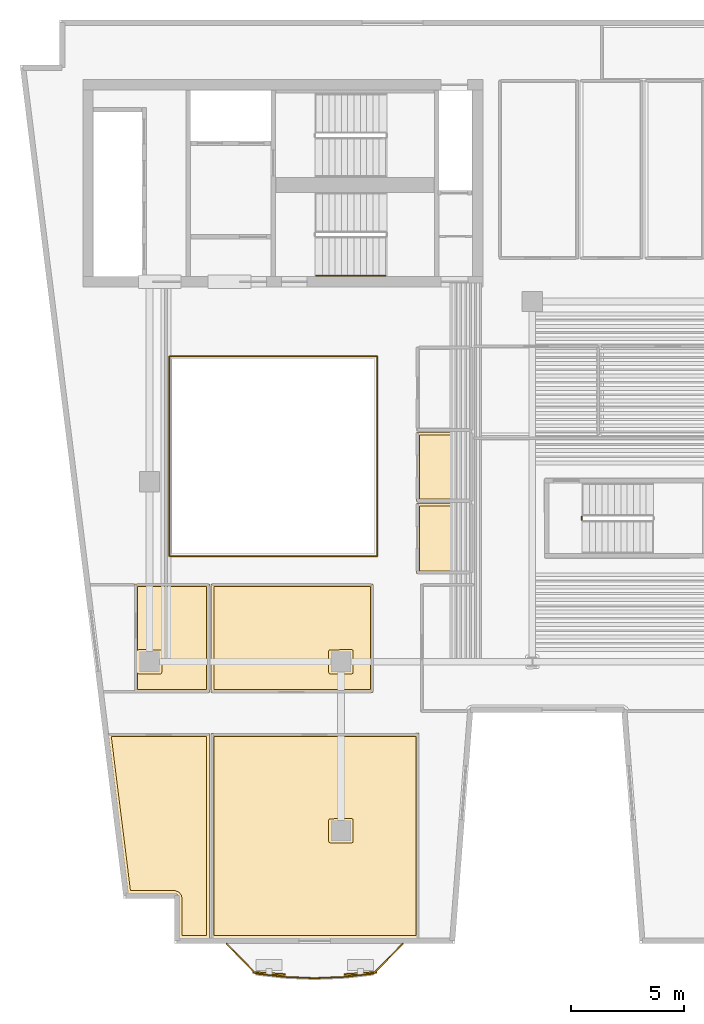
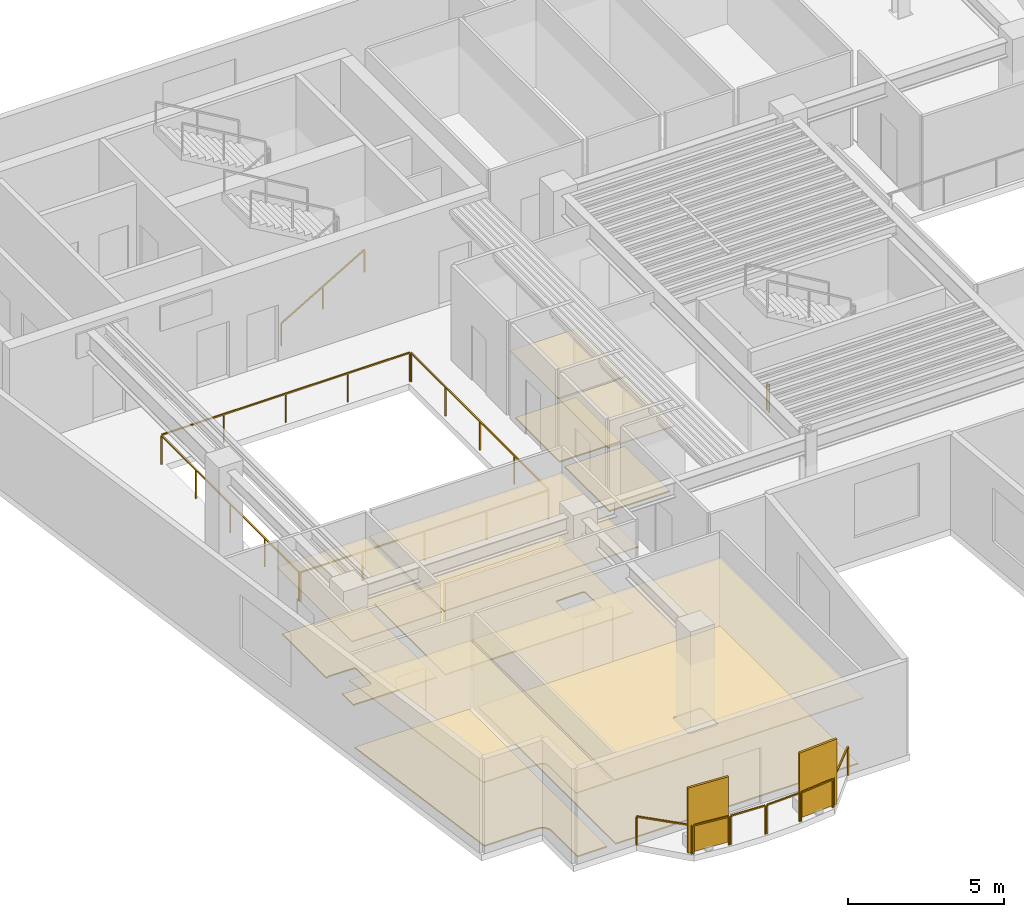
# One storey, part 7 of 9: 12 coverings, 12 railings, 2 shading devices.
"""IFC4 building model written with IfcOpenShell, lengths in metres."""

import ifcopenshell
import ifcopenshell.guid

model = None  # the IFC model being written
_history = None  # IfcOwnerHistory: only IFC2X3 demands one
_inside = {}  # id of a spatial element -> (the spatial element, [elements in it])
_under = {}  # id of a project, library or spatial element -> (it, [spatial elements below it])
_declared = {}  # id of a project -> (the project, [libraries it declares])
_typed = {}  # id of a type object -> (the type object, [elements of that type])
_made_of = {}  # id of a material, layer set ... -> (it, [elements and type objects made of it])


def new_model(schema):
    """Start an empty IFC model of exactly this schema.

    Asked for "IFC4X3", IfcOpenShell would pick the latest addendum, in which some entities
    have other attributes; the version numbers below select the first issue.
    IFC2X3 requires an IfcOwnerHistory on every rooted entity: one is made here for all.
    """
    global model, _history
    if schema == "IFC4X3":
        model = ifcopenshell.file(schema_version=(4, 3, 0, 0))
    else:
        model = ifcopenshell.file(schema=schema)
    _inside.clear()
    _under.clear()
    _declared.clear()
    _typed.clear()
    _made_of.clear()
    _history = None
    if model.schema == "IFC2X3":
        org = make("IfcOrganization", Name="unknown")
        user = make(
            "IfcPersonAndOrganization",
            ThePerson=make("IfcPerson", FamilyName="unknown"),
            TheOrganization=org,
        )
        app = make(
            "IfcApplication",
            ApplicationDeveloper=org,
            Version="unknown",
            ApplicationFullName="unknown",
            ApplicationIdentifier="unknown",
        )
        _history = make(
            "IfcOwnerHistory",
            OwningUser=user,
            OwningApplication=app,
            ChangeAction="ADDED",
            CreationDate=0,
        )
    return model


def make(cls, **values):
    """One entity of the class cls with the attributes given. An attribute that is None is left unset."""
    return model.create_entity(
        cls, **{name: value for name, value in values.items() if value is not None}
    )


def rooted(cls, **values):
    """An entity with a GlobalId (a new one), such as an element, a storey or a relation."""
    return make(cls, GlobalId=ifcopenshell.guid.new(), OwnerHistory=_history, **values)


def si_unit(unit_type, name, prefix=None):
    """IfcSIUnit, for example si_unit("LENGTHUNIT", "METRE", prefix="MILLI")."""
    return make("IfcSIUnit", UnitType=unit_type, Prefix=prefix, Name=name)


def assignment(units):
    """IfcUnitAssignment: the units of a project."""
    return None if units is None else make("IfcUnitAssignment", Units=units)


def point(xyz):
    """IfcCartesianPoint."""
    return None if xyz is None else make("IfcCartesianPoint", Coordinates=xyz)


def direction(xyz):
    """IfcDirection."""
    return None if xyz is None else make("IfcDirection", DirectionRatios=xyz)


def frame(location, z_axis=None, x_axis=None):
    """IfcAxis2Placement3D, a coordinate frame: its origin and axes. An axis left out is left unset."""
    return make(
        "IfcAxis2Placement3D",
        Location=point(location),
        Axis=direction(z_axis),
        RefDirection=direction(x_axis),
    )


def frame_2d(location, x_axis=None):
    """IfcAxis2Placement2D, a coordinate frame in the plane: its origin and x axis."""
    return make(
        "IfcAxis2Placement2D", Location=point(location), RefDirection=direction(x_axis)
    )


def origin():
    """The frame at (0, 0, 0) with its axes left unset."""
    return frame((0.0, 0.0, 0.0))


def origin_2d():
    """The frame at (0, 0) in the plane with its x axis left unset."""
    return frame_2d((0.0, 0.0))


def place(relative_to, where):
    """IfcLocalPlacement: puts the frame where relative to a parent placement (None: the world)."""
    return make(
        "IfcLocalPlacement", PlacementRelTo=relative_to, RelativePlacement=where
    )


def context(
    kind, dimensions, precision=None, world=None, true_north=None, identifier=None
):
    """IfcGeometricRepresentationContext, for example the 3D "Model" context."""
    return make(
        "IfcGeometricRepresentationContext",
        ContextIdentifier=identifier,
        ContextType=kind,
        CoordinateSpaceDimension=dimensions,
        Precision=precision,
        WorldCoordinateSystem=world,
        TrueNorth=true_north,
    )


def subcontext(parent, identifier, kind, view, scale=None):
    """IfcGeometricRepresentationSubContext, for example "Body" below "Model"."""
    return make(
        "IfcGeometricRepresentationSubContext",
        ContextIdentifier=identifier,
        ContextType=kind,
        ParentContext=parent,
        TargetScale=scale,
        TargetView=view,
    )


def project(units=None, contexts=None):
    """IfcProject with its units and contexts."""
    return rooted(
        "IfcProject",
        Name="project",
        RepresentationContexts=contexts,
        UnitsInContext=assignment(units),
    )


def spatial(cls, under=None, at=None, **own):
    """A site, building, storey or space (cls), placed at a placement, below another one or the project."""
    s = rooted(cls, ObjectPlacement=at, **own)
    if under is not None:
        _under.setdefault(under.id(), (under, []))[1].append(s)
    return s


def polyline(points):
    """IfcPolyline through the points."""
    return make("IfcPolyline", Points=[point(p) for p in points])


def profile(cls, at=None, kind="AREA", **sizes):
    """A parametric profile (cls). Its sizes go by their IFC names, for example OverallWidth=200.0."""
    return make(cls, ProfileType=kind, Position=at, **sizes)


def rectangle(**sizes):
    """IfcRectangleProfileDef."""
    return profile("IfcRectangleProfileDef", **sizes)


def outline(outer, holes=None, kind="AREA"):
    """IfcArbitraryClosedProfileDef: a profile drawn as a closed curve; with holes, ...WithVoids."""
    if holes is None:
        return make("IfcArbitraryClosedProfileDef", ProfileType=kind, OuterCurve=outer)
    return make(
        "IfcArbitraryProfileDefWithVoids",
        ProfileType=kind,
        OuterCurve=outer,
        InnerCurves=holes,
    )


def extrude(swept, where, along, depth):
    """IfcExtrudedAreaSolid: the profile swept, set in the frame where, extruded along a direction by depth."""
    return make(
        "IfcExtrudedAreaSolid",
        SweptArea=swept,
        Position=where,
        ExtrudedDirection=direction(along),
        Depth=depth,
    )


def shape(context_of_items, identifier, shape_type, items):
    """IfcShapeRepresentation: the items that make up one representation, for example the "Body"."""
    return make(
        "IfcShapeRepresentation",
        ContextOfItems=context_of_items,
        RepresentationIdentifier=identifier,
        RepresentationType=shape_type,
        Items=items,
    )


def material(Name=None, Category=None):
    """IfcMaterial."""
    return make("IfcMaterial", Name=Name, Category=Category)


def layer(
    of_material, thickness, ventilated=None, Name=None, Category=None, Priority=None
):
    """IfcMaterialLayer: one layer of a wall or slab, of a material (None: an air gap)."""
    return make(
        "IfcMaterialLayer",
        Material=of_material,
        LayerThickness=thickness,
        IsVentilated=ventilated,
        Name=Name,
        Category=Category,
        Priority=Priority,
    )


def layer_set(layers, Name=None):
    """IfcMaterialLayerSet."""
    return make("IfcMaterialLayerSet", MaterialLayers=layers, LayerSetName=Name)


def made_of(thing, what):
    """Note that an element or type object is made of a material, layer set ...; save() writes the relation."""
    if what is not None:
        _made_of.setdefault(what.id(), (what, []))[1].append(thing)
    return thing


def type_object(cls, material=None, **own):
    """A type object (cls), such as IfcWallType, which elements share."""
    return made_of(rooted(cls, **own), material)


def element(
    cls,
    number,
    at=None,
    inside=None,
    cuts=None,
    type_object=None,
    material=None,
    context=None,
    identifier="Body",
    shape_type=None,
    held_by="IfcProductDefinitionShape",
    body=None,
    shapes=None,
    **own,
):
    """One element of the class cls, such as IfcWall. Its Tag is "e" and its number.

    at: its placement. inside: the storey or other place that contains it. cuts: it is an
    opening in that element (IfcRelVoidsElement). A single representation is given by context,
    identifier, shape_type and body (its items); several are given by shapes. held_by: the class
    of the entity that holds the representations. save() writes the other relations.
    """
    e = rooted(cls, Tag="e%d" % number, ObjectPlacement=at, **own)
    if body is not None:
        shapes = [shape(context, identifier, shape_type, body)]
    if shapes is not None:
        e.Representation = make(held_by, Representations=shapes)
    if inside is not None:
        _inside.setdefault(inside.id(), (inside, []))[1].append(e)
    if cuts is not None:
        rooted(
            "IfcRelVoidsElement", RelatingBuildingElement=cuts, RelatedOpeningElement=e
        )
    if type_object is not None:
        _typed.setdefault(type_object.id(), (type_object, []))[1].append(e)
    return made_of(e, material)


def aggregate(whole, parts):
    """IfcRelAggregates: a whole, such as a stair, and the parts it consists of."""
    return rooted("IfcRelAggregates", RelatingObject=whole, RelatedObjects=parts)


def save(model, path):
    """Write the relations noted so far, then the file.

    IfcRelAggregates (storeys below a building ...), IfcRelContainedInSpatialStructure (elements
    in a storey), IfcRelDefinesByType, IfcRelAssociatesMaterial and IfcRelDeclares: one each for
    every whole, place, type object, material and project.
    """
    for whole, parts in _under.values():
        aggregate(whole, parts)
    for where, things in _inside.values():
        rooted(
            "IfcRelContainedInSpatialStructure",
            RelatedElements=things,
            RelatingStructure=where,
        )
    for kind, things in _typed.values():
        rooted("IfcRelDefinesByType", RelatedObjects=things, RelatingType=kind)
    for what, things in _made_of.values():
        rooted("IfcRelAssociatesMaterial", RelatedObjects=things, RelatingMaterial=what)
    for by, libraries in _declared.values():
        rooted("IfcRelDeclares", RelatingContext=by, RelatedDefinitions=libraries)
    model.write(path)


model = new_model("IFC4")

# Units and contexts
model_context = context("Model", 3, precision=1e-05, world=origin(), true_north=direction((0.0, 1.0)))
body_context = subcontext(model_context, "Body", "Model", "MODEL_VIEW")
ifc_project = project(units=[si_unit("LENGTHUNIT", "METRE"), si_unit("AREAUNIT", "SQUARE_METRE"), si_unit("VOLUMEUNIT", "CUBIC_METRE"), si_unit("PLANEANGLEUNIT", "RADIAN"), si_unit("MASSUNIT", "GRAM", prefix="KILO")], contexts=[model_context])

# Site, building, storey
site_placement = place(None, origin())
site = spatial("IfcSite", under=ifc_project, at=site_placement, CompositionType="ELEMENT")
building_placement = place(site_placement, origin())
building = spatial("IfcBuilding", under=site, at=building_placement, Name="Caeloran Harvest Quay", CompositionType="ELEMENT")
storey_placement = place(building_placement, frame((0.0, 0.0, 211.39990234375)))
storey = spatial("IfcBuildingStorey", under=building, at=storey_placement, Name="L50", CompositionType="ELEMENT", Elevation=211.39990234375)

# Coverings
ifc_material_1 = material(Name="Perforated Mineral-Fibre Acoustic Ceiling Tile", Category="ceiling")
ifc_layer_1 = layer(ifc_material_1, 0.0400390625, Name="Perforated Mineral-Fibre Acoustic Ceiling Tile")
ifc_layer_set_1 = layer_set([ifc_layer_1], Name="Perforated Mineral-Fibre Acoustic Ceiling Tile")
covering_type_1 = type_object("IfcCoveringType", Name="COV-CEILING-ACOUSTIC", PredefinedType="CEILING", material=ifc_layer_set_1)
covering_1_placement = place(storey_placement, frame((0.0, 0.0, 2.60009765625)))
element("IfcCovering", 1, at=covering_1_placement, inside=storey, type_object=covering_type_1, Name="L50 Female Washroom WC Acoustic Ceiling", PredefinedType="CEILING", context=body_context, shape_type="SweptSolid", body=[
    extrude(outline(polyline([(22.840087890625, 25.18994140625), (22.840087890625, 22.110107421875), (20.360107421875, 22.110107421875), (20.360107421875, 25.18994140625), (22.840087890625, 25.18994140625)])), origin(), (0.0, 0.0, 1.0), 0.0400390625),
])
covering_2_placement = place(storey_placement, frame((0.0, 0.0, 2.60009765625)))
element("IfcCovering", 2, at=covering_2_placement, inside=storey, type_object=covering_type_1, Name="L50 Accessible Unisex Washroom WC Acoustic Ceiling", PredefinedType="CEILING", context=body_context, shape_type="SweptSolid", body=[
    extrude(outline(polyline([(22.840087890625, 22.0400390625), (22.840087890625, 18.919921875), (20.360107421875, 18.919921875), (20.360107421875, 22.0400390625), (22.840087890625, 22.0400390625)])), origin(), (0.0, 0.0, 1.0), 0.0400390625),
])
covering_3_placement = place(storey_placement, frame((0.0, 0.0, 2.60009765625)))
element("IfcCovering", 3, at=covering_3_placement, inside=storey, type_object=covering_type_1, Name="Food-Security Culinary Kitchen Acoustic Ceiling", PredefinedType="CEILING", context=body_context, shape_type="SweptSolid", body=[
    extrude(outline(polyline([(11.239990234375, 11.81005859375), (20.31298828125, 11.81005859375), (20.320068359375, 11.830078125), (20.4599609375, 11.830078125), (20.4599609375, 2.719970703125), (11.239990234375, 2.719970703125), (11.239990234375, 11.81005859375)])), origin(), (0.0, 0.0, 1.0), 0.0400390625),
])
covering_4_placement = place(storey_placement, frame((0.0, 0.0, 2.60009765625)))
element("IfcCovering", 4, at=covering_4_placement, inside=storey, type_object=covering_type_1, Name="Policy Seminar Meeting Hall Acoustic Ceiling", PredefinedType="CEILING", context=body_context, shape_type="SweptSolid", body=[
    extrude(outline(polyline([(9.80615234375, 4.584228515625), (9.742431640625, 4.669921875), (9.62451171875, 4.718994140625), (7.54833984375, 4.719970703125), (6.666015625, 11.81005859375), (11.159912109375, 11.81005859375), (11.159912109375, 2.719970703125), (9.822998046875, 2.719970703125), (9.822998046875, 4.4990234375), (9.80615234375, 4.584228515625)])), origin(), (0.0, 0.0, 1.0), 0.0400390625),
])
covering_5_placement = place(storey_placement, frame((0.0, 0.0, 2.60009765625)))
element("IfcCovering", 5, at=covering_5_placement, inside=storey, type_object=covering_type_1, Name="Econometric Wet Laboratory Acoustic Ceiling", PredefinedType="CEILING", context=body_context, shape_type="SweptSolid", body=[
    extrude(outline(polyline([(7.840087890625, 13.639892578125), (7.840087890625, 18.4599609375), (11.159912109375, 18.4599609375), (11.159912109375, 13.639892578125), (7.840087890625, 13.639892578125)])), origin(), (0.0, 0.0, 1.0), 0.0400390625),
])
covering_6_placement = place(storey_placement, frame((0.0, 0.0, 2.60009765625)))
element("IfcCovering", 6, at=covering_6_placement, inside=storey, type_object=covering_type_1, Name="Fellows Tasting Kitchen Acoustic Ceiling", PredefinedType="CEILING", context=body_context, shape_type="SweptSolid", body=[
    extrude(outline(polyline([(18.429931640625, 13.639892578125), (11.239990234375, 13.639892578125), (11.239990234375, 18.4599609375), (18.429931640625, 18.4599609375), (18.429931640625, 13.639892578125)])), origin(), (0.0, 0.0, 1.0), 0.0400390625),
])
ifc_material_2 = material(Name="Calcium-Sulphate Raised Access Floor and Terrazzo Finish", Category="flooring")
ifc_layer_2 = layer(ifc_material_2, 0.050048828125, Name="Calcium-Sulphate Raised Access Floor and Terrazzo Finish")
ifc_layer_set_2 = layer_set([ifc_layer_2], Name="Calcium-Sulphate Raised Access Floor and Terrazzo Finish")
covering_type_2 = type_object("IfcCoveringType", Name="COV-FLOOR-RAISED", PredefinedType="FLOORING", material=ifc_layer_set_2)
covering_7_placement = place(storey_placement, origin())
element("IfcCovering", 7, at=covering_7_placement, inside=storey, type_object=covering_type_2, Name="L50 Female Washroom WC Raised Finish Flooring", PredefinedType="FLOORING", context=body_context, shape_type="SweptSolid", body=[
    extrude(outline(polyline([(22.719970703125, 25.070068359375), (22.719970703125, 22.22998046875), (20.47998046875, 22.22998046875), (20.47998046875, 25.070068359375), (22.719970703125, 25.070068359375)])), origin(), (0.0, 0.0, 1.0), 0.050048828125),
])
covering_8_placement = place(storey_placement, origin())
element("IfcCovering", 8, at=covering_8_placement, inside=storey, type_object=covering_type_2, Name="L50 Accessible Unisex Washroom WC Raised Finish Flooring", PredefinedType="FLOORING", context=body_context, shape_type="SweptSolid", body=[
    extrude(outline(polyline([(22.719970703125, 21.919921875), (22.719970703125, 19.0400390625), (20.47998046875, 19.0400390625), (20.47998046875, 21.919921875), (22.719970703125, 21.919921875)])), origin(), (0.0, 0.0, 1.0), 0.050048828125),
])
covering_9_placement = place(storey_placement, origin())
element("IfcCovering", 9, at=covering_9_placement, inside=storey, type_object=covering_type_2, Name="Food-Security Culinary Kitchen Raised Finish Flooring", PredefinedType="FLOORING", context=body_context, shape_type="SweptSolid", body=[
    extrude(outline(polyline([(11.360107421875, 2.840087890625), (11.360107421875, 11.68994140625), (20.340087890625, 11.69189453125), (20.340087890625, 2.840087890625), (11.360107421875, 2.840087890625)]), holes=[polyline([(17.465087890625, 8.044921875), (16.484130859375, 8.02685546875), (16.455322265625, 7.972900390625), (16.455078125, 7.034912109375), (16.478515625, 6.978515625), (16.534912109375, 6.955078125), (17.465087890625, 6.955078125), (17.521484375, 6.978515625), (17.544921875, 7.034912109375), (17.544921875, 7.965087890625), (17.521484375, 8.021484375), (17.465087890625, 8.044921875)])]), origin(), (0.0, 0.0, 1.0), 0.050048828125),
])
covering_10_placement = place(storey_placement, origin())
element("IfcCovering", 10, at=covering_10_placement, inside=storey, type_object=covering_type_2, Name="Policy Seminar Meeting Hall Raised Finish Flooring", PredefinedType="FLOORING", context=body_context, shape_type="SweptSolid", body=[
    extrude(outline(polyline([(9.91845703125, 4.62646484375), (9.815673828125, 4.76513671875), (9.63232421875, 4.838623046875), (7.654296875, 4.840087890625), (6.8017578125, 11.68994140625), (11.0400390625, 11.68994140625), (11.0400390625, 2.840087890625), (9.943115234375, 2.840087890625), (9.943115234375, 4.5), (9.91845703125, 4.62646484375)])), origin(), (0.0, 0.0, 1.0), 0.050048828125),
])
covering_11_placement = place(storey_placement, origin())
element("IfcCovering", 11, at=covering_11_placement, inside=storey, type_object=covering_type_2, Name="Econometric Wet Laboratory Raised Finish Flooring", PredefinedType="FLOORING", context=body_context, shape_type="SweptSolid", body=[
    extrude(outline(polyline([(7.9599609375, 14.50732421875), (8.027099609375, 14.455322265625), (8.965087890625, 14.455078125), (9.021484375, 14.478515625), (9.044921875, 14.534912109375), (9.044921875, 15.465087890625), (9.015869140625, 15.52685546875), (8.034912109375, 15.544921875), (7.9599609375, 15.49267578125), (7.9599609375, 18.340087890625), (11.0400390625, 18.340087890625), (11.0400390625, 13.760009765625), (7.9599609375, 13.760009765625), (7.9599609375, 14.50732421875)])), origin(), (0.0, 0.0, 1.0), 0.050048828125),
])
covering_12_placement = place(storey_placement, origin())
element("IfcCovering", 12, at=covering_12_placement, inside=storey, type_object=covering_type_2, Name="Fellows Tasting Kitchen Raised Finish Flooring", PredefinedType="FLOORING", context=body_context, shape_type="SweptSolid", body=[
    extrude(outline(polyline([(18.31005859375, 18.340087890625), (18.31005859375, 13.760009765625), (11.360107421875, 13.760009765625), (11.360107421875, 18.340087890625), (18.31005859375, 18.340087890625)]), holes=[polyline([(17.465087890625, 15.544921875), (16.484130859375, 15.52685546875), (16.455322265625, 15.472900390625), (16.455078125, 14.534912109375), (16.478515625, 14.478515625), (16.534912109375, 14.455078125), (17.465087890625, 14.455078125), (17.521484375, 14.478515625), (17.544921875, 14.534912109375), (17.544921875, 15.465087890625), (17.521484375, 15.521484375), (17.465087890625, 15.544921875)])]), origin(), (0.0, 0.0, 1.0), 0.050048828125),
])

# Railings
ifc_material_3 = material(Name="Powder-Coated Steel Post and Laminated Glass Guardrail", Category="steel")
ifc_layer_3 = layer(ifc_material_3, 0.06005859375, Name="Powder-Coated Steel Post and Laminated Glass Guardrail")
ifc_layer_set_3 = layer_set([ifc_layer_3], Name="Powder-Coated Steel Post and Laminated Glass Guardrail")
railing_type_1 = type_object("IfcRailingType", Name="GUARD-ATRIUM-1150", PredefinedType="GUARDRAIL", material=ifc_layer_set_3)
railing_1_placement = place(storey_placement, frame((9.412109375, 19.679931640625, 0.0)))
element("IfcRailing", 13, at=railing_1_placement, inside=storey, type_object=railing_type_1, Name="L50 Skylit Atrium Void Perimeter Guardrail Seg 1", PredefinedType="GUARDRAIL", context=body_context, shape_type="SweptSolid", body=[
    extrude(rectangle(XDim=0.048095703125, YDim=0.048095703125, at=origin_2d()), frame((0.0, 0.0, 1.1259765625), z_axis=(1.0, 0.0, 0.0), x_axis=(0.0, 1.0, 0.0)), (0.0, 0.0, 1.0), 9.17578125),
    extrude(rectangle(XDim=0.0419921875, YDim=0.0419921875, at=origin_2d()), origin(), (0.0, 0.0, 1.0), 1.101806640625),
    extrude(rectangle(XDim=0.0419921875, YDim=0.0419921875, at=origin_2d()), frame((2.2939453125, 0.0, 0.0)), (0.0, 0.0, 1.0), 1.101806640625),
    extrude(rectangle(XDim=0.0419921875, YDim=0.0419921875, at=origin_2d()), frame((4.587890625, 0.0, 0.0)), (0.0, 0.0, 1.0), 1.101806640625),
    extrude(rectangle(XDim=0.0419921875, YDim=0.0419921875, at=origin_2d()), frame((6.8818359375, 0.0, 0.0)), (0.0, 0.0, 1.0), 1.101806640625),
    extrude(rectangle(XDim=0.0419921875, YDim=0.0419921875, at=origin_2d()), frame((9.17578125, 0.0, 0.0)), (0.0, 0.0, 1.0), 1.101806640625),
])
railing_2_placement = place(storey_placement, frame((18.6201171875, 19.7119140625, 0.0)))
element("IfcRailing", 14, at=railing_2_placement, inside=storey, type_object=railing_type_1, Name="L50 Skylit Atrium Void Perimeter Guardrail Seg 2", PredefinedType="GUARDRAIL", context=body_context, shape_type="SweptSolid", body=[
    extrude(rectangle(XDim=0.048095703125, YDim=0.048095703125, at=origin_2d()), frame((0.0, 0.0, 1.1259765625), z_axis=(0.0, 1.0, 0.0), x_axis=(-1.0, 0.0, 0.0)), (0.0, 0.0, 1.0), 8.826171875),
    extrude(rectangle(XDim=0.0419921875, YDim=0.0419921875, at=origin_2d()), origin(), (0.0, 0.0, 1.0), 1.101806640625),
    extrude(rectangle(XDim=0.0419921875, YDim=0.0419921875, at=origin_2d()), frame((0.0, 2.20654296875, 0.0)), (0.0, 0.0, 1.0), 1.101806640625),
    extrude(rectangle(XDim=0.0419921875, YDim=0.0419921875, at=origin_2d()), frame((0.0, 4.4130859375, 0.0)), (0.0, 0.0, 1.0), 1.101806640625),
    extrude(rectangle(XDim=0.0419921875, YDim=0.0419921875, at=origin_2d()), frame((0.0, 6.61962890625, 0.0)), (0.0, 0.0, 1.0), 1.101806640625),
    extrude(rectangle(XDim=0.0419921875, YDim=0.0419921875, at=origin_2d()), frame((0.0, 8.826171875, 0.0)), (0.0, 0.0, 1.0), 1.101806640625),
])
railing_3_placement = place(storey_placement, frame((18.587890625, 28.570068359375, 0.0)))
element("IfcRailing", 15, at=railing_3_placement, inside=storey, type_object=railing_type_1, Name="L50 Skylit Atrium Void Perimeter Guardrail Seg 3", PredefinedType="GUARDRAIL", context=body_context, shape_type="SweptSolid", body=[
    extrude(rectangle(XDim=0.048095703125, YDim=0.048095703125, at=origin_2d()), frame((0.0, 0.0, 1.1259765625), z_axis=(-1.0, 0.0, 0.0), x_axis=(0.0, -1.0, 0.0)), (0.0, 0.0, 1.0), 9.17578125),
    extrude(rectangle(XDim=0.0419921875, YDim=0.0419921875, at=origin_2d()), origin(), (0.0, 0.0, 1.0), 1.101806640625),
    extrude(rectangle(XDim=0.0419921875, YDim=0.0419921875, at=origin_2d()), frame((-2.2939453125, 0.0, 0.0)), (0.0, 0.0, 1.0), 1.101806640625),
    extrude(rectangle(XDim=0.0419921875, YDim=0.0419921875, at=origin_2d()), frame((-4.587890625, 0.0, 0.0)), (0.0, 0.0, 1.0), 1.101806640625),
    extrude(rectangle(XDim=0.0419921875, YDim=0.0419921875, at=origin_2d()), frame((-6.8818359375, 0.0, 0.0)), (0.0, 0.0, 1.0), 1.101806640625),
    extrude(rectangle(XDim=0.0419921875, YDim=0.0419921875, at=origin_2d()), frame((-9.17578125, 0.0, 0.0)), (0.0, 0.0, 1.0), 1.101806640625),
])
railing_4_placement = place(storey_placement, frame((9.3798828125, 28.5380859375, 0.0)))
element("IfcRailing", 16, at=railing_4_placement, inside=storey, type_object=railing_type_1, Name="L50 Skylit Atrium Void Perimeter Guardrail Seg 4", PredefinedType="GUARDRAIL", context=body_context, shape_type="SweptSolid", body=[
    extrude(rectangle(XDim=0.048095703125, YDim=0.048095703125, at=origin_2d()), frame((0.0, 0.0, 1.1259765625), z_axis=(0.0, -1.0, 0.0), x_axis=(1.0, 0.0, 0.0)), (0.0, 0.0, 1.0), 8.826171875),
    extrude(rectangle(XDim=0.0419921875, YDim=0.0419921875, at=origin_2d()), origin(), (0.0, 0.0, 1.0), 1.101806640625),
    extrude(rectangle(XDim=0.0419921875, YDim=0.0419921875, at=origin_2d()), frame((0.0, -2.20654296875, 0.0)), (0.0, 0.0, 1.0), 1.101806640625),
    extrude(rectangle(XDim=0.0419921875, YDim=0.0419921875, at=origin_2d()), frame((0.0, -4.4130859375, 0.0)), (0.0, 0.0, 1.0), 1.101806640625),
    extrude(rectangle(XDim=0.0419921875, YDim=0.0419921875, at=origin_2d()), frame((0.0, -6.61962890625, 0.0)), (0.0, 0.0, 1.0), 1.101806640625),
    extrude(rectangle(XDim=0.0419921875, YDim=0.0419921875, at=origin_2d()), frame((0.0, -8.826171875, 0.0)), (0.0, 0.0, 1.0), 1.101806640625),
])
ifc_material_4 = material(Name="Laminated Safety Glass and Stainless Steel 316", Category="steel")
ifc_layer_4 = layer(ifc_material_4, 0.06005859375, Name="Laminated Safety Glass and Stainless Steel 316")
ifc_layer_set_4 = layer_set([ifc_layer_4], Name="Laminated Safety Glass and Stainless Steel 316")
railing_type_2 = type_object("IfcRailingType", Name="GUARD-BALUSTRADE-1150", PredefinedType="BALUSTRADE", material=ifc_layer_set_4)
railing_5_placement = place(storey_placement, frame((19.74609375, 2.47998046875, 0.0)))
element("IfcRailing", 17, at=railing_5_placement, inside=storey, type_object=railing_type_2, Name="L50 Planted Balcony Perimeter Balustrade Guard Seg 1", PredefinedType="BALUSTRADE", context=body_context, shape_type="SweptSolid", body=[
    extrude(rectangle(XDim=0.048095703125, YDim=0.048095703125, at=origin_2d()), frame((0.0, 0.0, 1.1259765625), z_axis=(-0.700070077465, -0.714074146456, 0.0), x_axis=(0.714074146456, -0.700070077465, 0.0)), (0.0, 0.0, 1.0), 1.83056640625),
    extrude(rectangle(XDim=0.0419921875, YDim=0.0419921875, at=origin_2d()), origin(), (0.0, 0.0, 1.0), 1.101806640625),
    extrude(rectangle(XDim=0.0419921875, YDim=0.0419921875, at=origin_2d()), frame((-1.281494140625, -1.30712890625, 0.0)), (0.0, 0.0, 1.0), 1.101806640625),
])
railing_6_placement = place(storey_placement, frame((18.410400390625, 1.146484375, 0.0)))
element("IfcRailing", 18, at=railing_6_placement, inside=storey, type_object=railing_type_2, Name="L50 Planted Balcony Perimeter Balustrade Guard Seg 2", PredefinedType="BALUSTRADE", context=body_context, shape_type="SweptSolid", body=[
    extrude(rectangle(XDim=0.048095703125, YDim=0.048095703125, at=origin_2d()), frame((0.0, 0.0, 1.1259765625), z_axis=(-0.993742177485, -0.111698185698, 0.0), x_axis=(0.111698185698, -0.993742177485, 0.0)), (0.0, 0.0, 1.0), 1.248046875),
    extrude(rectangle(XDim=0.0419921875, YDim=0.0419921875, at=origin_2d()), origin(), (0.0, 0.0, 1.0), 1.101806640625),
    extrude(rectangle(XDim=0.0419921875, YDim=0.0419921875, at=origin_2d()), frame((-1.240234375, -0.139404296875, 0.0)), (0.0, 0.0, 1.0), 1.101806640625),
])
railing_7_placement = place(storey_placement, frame((17.106201171875, 1.002197265625, 0.0)))
element("IfcRailing", 19, at=railing_7_placement, inside=storey, type_object=railing_type_2, Name="L50 Planted Balcony Perimeter Balustrade Guard Seg 3", PredefinedType="BALUSTRADE", context=body_context, shape_type="SweptSolid", body=[
    extrude(rectangle(XDim=0.048095703125, YDim=0.048095703125, at=origin_2d()), frame((0.0, 0.0, 1.1259765625), z_axis=(-0.999162152062, -0.040926689175, 0.0), x_axis=(0.040926689175, -0.999162152062, 0.0)), (0.0, 0.0, 1.0), 1.24072265625),
    extrude(rectangle(XDim=0.0419921875, YDim=0.0419921875, at=origin_2d()), origin(), (0.0, 0.0, 1.0), 1.101806640625),
    extrude(rectangle(XDim=0.0419921875, YDim=0.0419921875, at=origin_2d()), frame((-1.23974609375, -0.05078125, 0.0)), (0.0, 0.0, 1.0), 1.101806640625),
])
railing_8_placement = place(storey_placement, frame((15.802490234375, 0.951416015625, 0.0)))
element("IfcRailing", 20, at=railing_8_placement, inside=storey, type_object=railing_type_2, Name="L50 Planted Balcony Perimeter Balustrade Guard Seg 4", PredefinedType="BALUSTRADE", context=body_context, shape_type="SweptSolid", body=[
    extrude(rectangle(XDim=0.048095703125, YDim=0.048095703125, at=origin_2d()), frame((0.0, 0.0, 1.1259765625), z_axis=(-0.999162152062, 0.040926689175, 0.0), x_axis=(-0.040926689175, -0.999162152062, 0.0)), (0.0, 0.0, 1.0), 1.24072265625),
    extrude(rectangle(XDim=0.0419921875, YDim=0.0419921875, at=origin_2d()), origin(), (0.0, 0.0, 1.0), 1.101806640625),
    extrude(rectangle(XDim=0.0419921875, YDim=0.0419921875, at=origin_2d()), frame((-1.23974609375, 0.05078125, 0.0)), (0.0, 0.0, 1.0), 1.101806640625),
])
railing_9_placement = place(storey_placement, frame((14.498779296875, 1.007080078125, 0.0)))
element("IfcRailing", 21, at=railing_9_placement, inside=storey, type_object=railing_type_2, Name="L50 Planted Balcony Perimeter Balustrade Guard Seg 5", PredefinedType="BALUSTRADE", context=body_context, shape_type="SweptSolid", body=[
    extrude(rectangle(XDim=0.048095703125, YDim=0.048095703125, at=origin_2d()), frame((0.0, 0.0, 1.1259765625), z_axis=(-0.993742177485, 0.111698185698, 0.0), x_axis=(-0.111698185698, -0.993742177485, 0.0)), (0.0, 0.0, 1.0), 1.248046875),
    extrude(rectangle(XDim=0.0419921875, YDim=0.0419921875, at=origin_2d()), origin(), (0.0, 0.0, 1.0), 1.101806640625),
    extrude(rectangle(XDim=0.0419921875, YDim=0.0419921875, at=origin_2d()), frame((-1.240234375, 0.139404296875, 0.0)), (0.0, 0.0, 1.0), 1.101806640625),
])
railing_10_placement = place(storey_placement, frame((13.204345703125, 1.1728515625, 0.0)))
element("IfcRailing", 22, at=railing_10_placement, inside=storey, type_object=railing_type_2, Name="L50 Planted Balcony Perimeter Balustrade Guard Seg 6", PredefinedType="BALUSTRADE", context=body_context, shape_type="SweptSolid", body=[
    extrude(rectangle(XDim=0.048095703125, YDim=0.048095703125, at=origin_2d()), frame((0.0, 0.0, 1.1259765625), z_axis=(-0.700002061262, 0.714140822408, 0.0), x_axis=(-0.714140822408, -0.700002061262, 0.0)), (0.0, 0.0, 1.0), 1.830322265625),
    extrude(rectangle(XDim=0.0419921875, YDim=0.0419921875, at=origin_2d()), origin(), (0.0, 0.0, 1.0), 1.101806640625),
    extrude(rectangle(XDim=0.0419921875, YDim=0.0419921875, at=origin_2d()), frame((-1.28125, 1.30712890625, 0.0)), (0.0, 0.0, 1.0), 1.101806640625),
])

# Shading devices
ifc_material_5 = material(Name="3003-H14 Perforated Powder-Coated Aluminium", Category="aluminium")
shading_device_type = type_object("IfcShadingDeviceType", Name="SHADE-SCREEN-FOLDED", PredefinedType="USERDEFINED", material=ifc_material_5)
for number, where, z_axis, x_axis, name in (
    (23, (17.868408203125, 1.159912109375, 0.0751953125), (0.0, 0.0, 1.0), (0.997801468292, 0.0662739004, 0.0), "L50 Folded Facade Breathing Screen 1"),
    (24, (13.800537109375, 1.159912109375, 0.0751953125), (0.0, 0.0, 1.0), (0.997801468292, -0.0662739004, 0.0), "L50 Folded Facade Breathing Screen 2"),
):
    element("IfcShadingDevice", number, at=place(storey_placement, frame(where, z_axis=z_axis, x_axis=x_axis)), inside=storey, type_object=shading_device_type, Name=name, ObjectType="SCREEN", PredefinedType="USERDEFINED", context=body_context, shape_type="SweptSolid", body=[
        extrude(rectangle(XDim=1.449951171875, YDim=0.080078125, at=origin_2d()), origin(), (0.0, 0.0, 1.0), 2.550048828125),
    ])

# Railings
ifc_material_6 = material(Name="Painted Steel Baluster and Top-Rail Stair Guard", Category="steel")
ifc_layer_5 = layer(ifc_material_6, 0.050048828125, Name="Painted Steel Baluster and Top-Rail Stair Guard")
ifc_layer_set_5 = layer_set([ifc_layer_5], Name="Painted Steel Baluster and Top-Rail Stair Guard")
railing_type_3 = type_object("IfcRailingType", Name="STAIR-GUARD-1100", PredefinedType="GUARDRAIL", material=ifc_layer_set_5)
railing_11_placement = place(storey_placement, frame((27.699951171875, 21.300048828125, 0.0)))
element("IfcRailing", 25, at=railing_11_placement, inside=storey, type_object=railing_type_3, Name="L50 ST-W1 stair guard 4", PredefinedType="GUARDRAIL", context=body_context, shape_type="SweptSolid", body=[
    extrude(rectangle(XDim=0.048095703125, YDim=0.048095703125, at=origin_2d()), frame((0.0, 0.0, 1.076171875), z_axis=(0.0, 1.0, 0.0), x_axis=(-1.0, 0.0, 0.0)), (0.0, 0.0, 1.0), 0.14990234375),
    extrude(rectangle(XDim=0.0419921875, YDim=0.0419921875, at=origin_2d()), origin(), (0.0, 0.0, 1.0), 1.052001953125),
    extrude(rectangle(XDim=0.0419921875, YDim=0.0419921875, at=origin_2d()), frame((0.0, 0.14990234375, 0.0)), (0.0, 0.0, 1.0), 1.052001953125),
])
ifc_material_7 = material(Name="Brushed Stainless Steel Grade 304", Category="steel")
ifc_layer_6 = layer(ifc_material_7, 0.050048828125, Name="Brushed Stainless Steel Grade 304")
ifc_layer_set_6 = layer_set([ifc_layer_6], Name="Brushed Stainless Steel Grade 304")
railing_type_4 = type_object("IfcRailingType", Name="STAIR-HANDRAIL-900", PredefinedType="HANDRAIL", material=ifc_layer_set_6)
railing_12_placement = place(storey_placement, frame((15.89990234375, 32.14990234375, 0.164794921875)))
element("IfcRailing", 26, at=railing_12_placement, inside=storey, type_object=railing_type_4, Name="L50 ST-C2 stair handrail 1", PredefinedType="HANDRAIL", context=body_context, shape_type="SweptSolid", body=[
    extrude(rectangle(XDim=0.048095703125, YDim=0.048095703125, at=origin_2d()), frame((0.0, 0.0, 0.8759765625), z_axis=(0.862118610829, 0.0, 0.506706523406), x_axis=(0.0, 1.0, 0.0)), (0.0, 0.0, 1.0), 3.57275390625),
    extrude(rectangle(XDim=0.0419921875, YDim=0.0419921875, at=origin_2d()), origin(), (0.0, 0.0, 1.0), 0.851806640625),
    extrude(rectangle(XDim=0.0419921875, YDim=0.0419921875, at=origin_2d()), frame((1.5400390625, 0.0, 0.9052734375)), (0.0, 0.0, 1.0), 0.851806640625),
    extrude(rectangle(XDim=0.0419921875, YDim=0.0419921875, at=origin_2d()), frame((3.080078125, 0.0, 1.810302734375)), (0.0, 0.0, 1.0), 0.851806640625),
])

save(model, "model.ifc")
